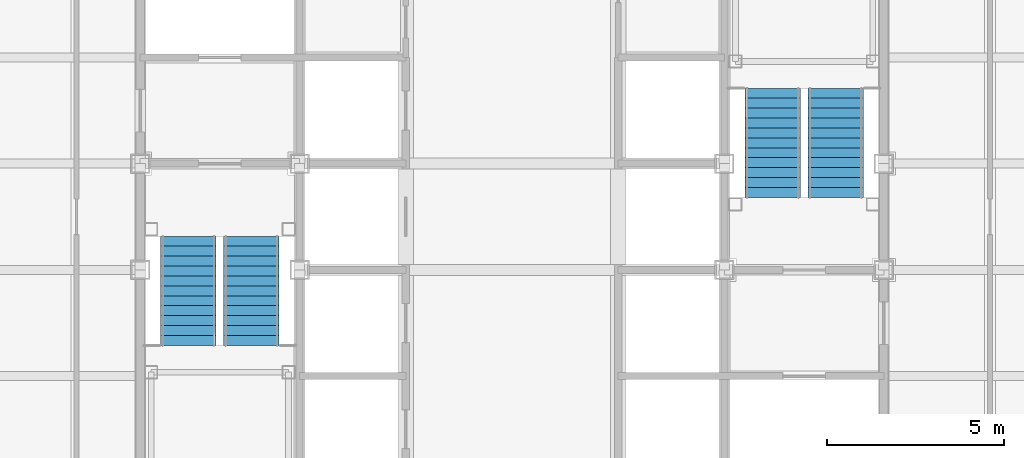
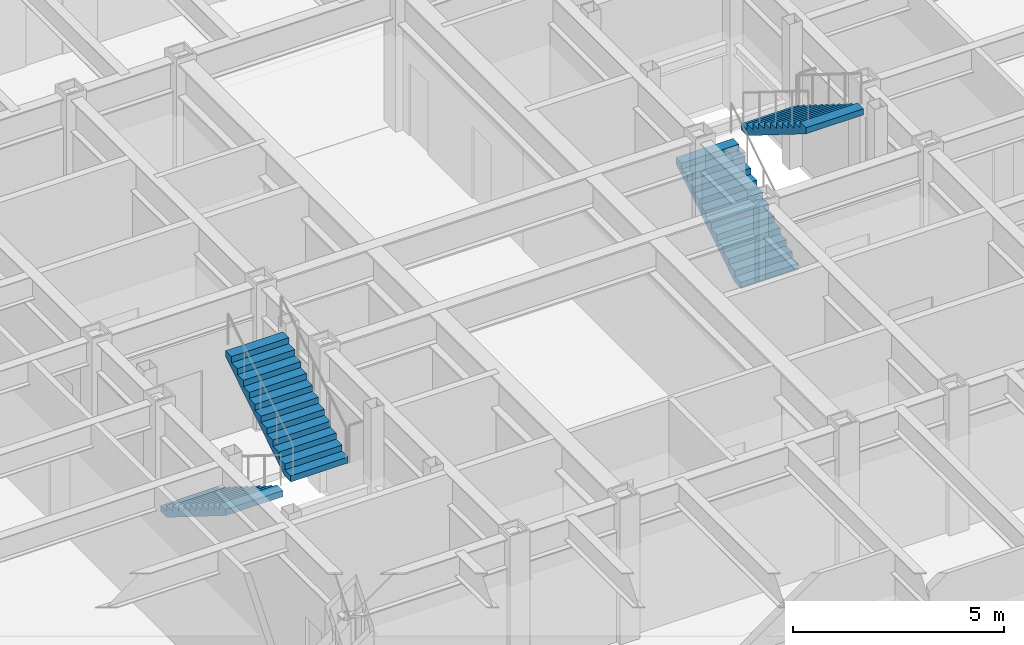
# One storey, part 14 of 16: 4 stair flights, 2 elements without a shape of their own.
"""IFC4 building model written with IfcOpenShell, lengths in metres."""

from ifc_helpers import new_model, si_unit, direction, frame, origin, place, context, subcontext, project, spatial, faceted_brep, material, type_object, element, aggregate, save


model = new_model("IFC4")

# Units and contexts
model_context = context("Model", 3, precision=1e-05, world=origin(), true_north=direction((0.0, 1.0)))
body_context = subcontext(model_context, "Body", "Model", "MODEL_VIEW")
ifc_project = project(units=[si_unit("LENGTHUNIT", "METRE"), si_unit("AREAUNIT", "SQUARE_METRE"), si_unit("VOLUMEUNIT", "CUBIC_METRE"), si_unit("PLANEANGLEUNIT", "RADIAN"), si_unit("MASSUNIT", "GRAM", prefix="KILO")], contexts=[model_context])

# Site, building, storey
site_placement = place(None, origin())
site = spatial("IfcSite", under=ifc_project, at=site_placement, CompositionType="ELEMENT")
building_placement = place(site_placement, origin())
building = spatial("IfcBuilding", under=site, at=building_placement, Name="Chuquiago Exchange Tower", CompositionType="ELEMENT")
storey_placement = place(building_placement, frame((0.0, 0.0, 218.10009765625)))
storey = spatial("IfcBuildingStorey", under=building, at=storey_placement, Name="L48", CompositionType="ELEMENT", Elevation=218.10009765625)

# Stair, stair flights
ifc_material_1 = material(Name="Concrete C30/37, precast", Category="concrete")
stair_type_1 = type_object("IfcStairType", Name="ST1 half-turn stair 4200", PredefinedType="HALF_TURN_STAIR", material=ifc_material_1)
stair_1_placement = place(storey_placement, origin())
stair_1 = element("IfcStair", 1, at=stair_1_placement, inside=storey, type_object=stair_type_1, Name="Stair ST1 L48", PredefinedType="HALF_TURN_STAIR")
ifc_material_2 = material(Name="Concrete C30/37, precast", Category="concrete")
stair_flight_type = type_object("IfcStairFlightType", Name="ST-F flight 1570 for 4200 storey", PredefinedType="STRAIGHT", material=ifc_material_2)
stair_flight_1_placement = place(storey_placement, frame((13.360107421875, 21.949951171875, 0.0), z_axis=(0.0, 0.0, 1.0), x_axis=(0.0, -1.0, 0.0)))
stair_flight_1 = element("IfcStairFlight", 2, at=stair_flight_1_placement, type_object=stair_flight_type, Name="ST1 flight 1", NumberOfRisers=12, NumberOfTreads=11, PredefinedType="STRAIGHT", RiserHeight=0.175, TreadLength=0.28, context=body_context, shape_type="Brep", body=[
    faceted_brep([(0.0, 0.78515625, 0.0), (0.0, 0.78515625, 0.175048828125), (0.280029296875, 0.78515625, 0.175048828125), (0.280029296875, 0.78515625, 0.35009765625), (0.56005859375, 0.78515625, 0.35009765625), (0.56005859375, 0.78515625, 0.52490234375), (0.840087890625, 0.78515625, 0.52490234375), (0.840087890625, 0.78515625, 0.699951171875), (1.1201171875, 0.78515625, 0.699951171875), (1.1201171875, 0.78515625, 0.875), (1.39990234375, 0.78515625, 0.875), (1.39990234375, 0.78515625, 1.050048828125), (1.679931640625, 0.78515625, 1.050048828125), (1.679931640625, 0.78515625, 1.22509765625), (1.9599609375, 0.78515625, 1.22509765625), (1.9599609375, 0.78515625, 1.39990234375), (2.239990234375, 0.78515625, 1.39990234375), (2.239990234375, 0.78515625, 1.574951171875), (2.52001953125, 0.78515625, 1.574951171875), (2.52001953125, 0.78515625, 1.75), (2.800048828125, 0.78515625, 1.75), (2.800048828125, 0.78515625, 1.925048828125), (3.080078125, 0.78515625, 1.925048828125), (3.080078125, 0.78515625, 1.748291015625), (0.28271484375, 0.78515625, 0.0), (0.28271484375, -0.78515625, 0.0), (3.080078125, -0.78515625, 1.748291015625), (3.080078125, -0.78515625, 1.925048828125), (2.800048828125, -0.78515625, 1.925048828125), (2.800048828125, -0.78515625, 1.75), (2.52001953125, -0.78515625, 1.75), (2.52001953125, -0.78515625, 1.574951171875), (2.239990234375, -0.78515625, 1.574951171875), (2.239990234375, -0.78515625, 1.39990234375), (1.9599609375, -0.78515625, 1.39990234375), (1.9599609375, -0.78515625, 1.22509765625), (1.679931640625, -0.78515625, 1.22509765625), (1.679931640625, -0.78515625, 1.050048828125), (1.39990234375, -0.78515625, 1.050048828125), (1.39990234375, -0.78515625, 0.875), (1.1201171875, -0.78515625, 0.875), (1.1201171875, -0.78515625, 0.699951171875), (0.840087890625, -0.78515625, 0.699951171875), (0.840087890625, -0.78515625, 0.52490234375), (0.56005859375, -0.78515625, 0.52490234375), (0.56005859375, -0.78515625, 0.35009765625), (0.280029296875, -0.78515625, 0.35009765625), (0.280029296875, -0.78515625, 0.175048828125), (0.0, -0.78515625, 0.175048828125), (0.0, -0.78515625, 0.0), (0.0, 0.392578125, 0.0), (0.0, 0.392578125, 0.175048828125), (0.0, 0.0, 0.0), (0.0, 0.0, 0.175048828125), (0.0, -0.392578125, 0.0), (0.0, -0.392578125, 0.175048828125), (0.280029296875, 0.392578125, 0.175048828125), (0.280029296875, 0.0, 0.175048828125), (0.280029296875, -0.392578125, 0.175048828125), (0.280029296875, 0.392578125, 0.35009765625), (0.280029296875, 0.0, 0.35009765625), (0.280029296875, -0.392578125, 0.35009765625), (0.56005859375, 0.392578125, 0.35009765625), (0.56005859375, 0.0, 0.35009765625), (0.56005859375, -0.392578125, 0.35009765625), (0.56005859375, 0.392578125, 0.52490234375), (0.56005859375, 0.0, 0.52490234375), (0.56005859375, -0.392578125, 0.52490234375), (0.840087890625, 0.392578125, 0.52490234375), (0.840087890625, 0.0, 0.52490234375), (0.840087890625, -0.392578125, 0.52490234375), (0.840087890625, 0.392578125, 0.699951171875), (0.840087890625, 0.0, 0.699951171875), (0.840087890625, -0.392578125, 0.699951171875), (1.1201171875, 0.392578125, 0.699951171875), (1.1201171875, 0.0, 0.699951171875), (1.1201171875, -0.392578125, 0.699951171875), (1.1201171875, 0.392578125, 0.875), (1.1201171875, 0.0, 0.875), (1.1201171875, -0.392578125, 0.875), (1.39990234375, 0.392578125, 0.875), (1.39990234375, 0.0, 0.875), (1.39990234375, -0.392578125, 0.875), (1.39990234375, 0.392578125, 1.050048828125), (1.39990234375, 0.0, 1.050048828125), (1.39990234375, -0.392578125, 1.050048828125), (1.679931640625, 0.392578125, 1.050048828125), (1.679931640625, 0.0, 1.050048828125), (1.679931640625, -0.392578125, 1.050048828125), (1.679931640625, 0.392578125, 1.22509765625), (1.679931640625, 0.0, 1.22509765625), (1.679931640625, -0.392578125, 1.22509765625), (1.9599609375, 0.392578125, 1.22509765625), (1.9599609375, 0.0, 1.22509765625), (1.9599609375, -0.392578125, 1.22509765625), (1.9599609375, 0.392578125, 1.39990234375), (1.9599609375, 0.0, 1.39990234375), (1.9599609375, -0.392578125, 1.39990234375), (2.239990234375, 0.392578125, 1.39990234375), (2.239990234375, 0.0, 1.39990234375), (2.239990234375, -0.392578125, 1.39990234375), (2.239990234375, 0.392578125, 1.574951171875), (2.239990234375, 0.0, 1.574951171875), (2.239990234375, -0.392578125, 1.574951171875), (2.52001953125, 0.392578125, 1.574951171875), (2.52001953125, 0.0, 1.574951171875), (2.52001953125, -0.392578125, 1.574951171875), (2.52001953125, 0.392578125, 1.75), (2.52001953125, 0.0, 1.75), (2.52001953125, -0.392578125, 1.75), (2.800048828125, 0.392578125, 1.75), (2.800048828125, 0.0, 1.75), (2.800048828125, -0.392578125, 1.75), (2.800048828125, 0.392578125, 1.925048828125), (2.800048828125, 0.0, 1.925048828125), (2.800048828125, -0.392578125, 1.925048828125), (3.080078125, 0.392578125, 1.925048828125), (3.080078125, 0.0, 1.925048828125), (3.080078125, -0.392578125, 1.925048828125), (3.080078125, 0.392578125, 1.748291015625), (3.080078125, 0.0, 1.748291015625), (3.080078125, -0.392578125, 1.748291015625), (0.28271484375, 0.392578125, 0.0), (0.28271484375, 0.0, 0.0), (0.28271484375, -0.392578125, 0.0)], [[[0, 1, 2, 3, 4, 5, 6, 7, 8, 9, 10, 11, 12, 13, 14, 15, 16, 17, 18, 19, 20, 21, 22, 23, 24]], [[25, 26, 27, 28, 29, 30, 31, 32, 33, 34, 35, 36, 37, 38, 39, 40, 41, 42, 43, 44, 45, 46, 47, 48, 49]], [[1, 0, 50, 51]], [[51, 50, 52, 53]], [[53, 52, 54, 55]], [[55, 54, 49, 48]], [[2, 1, 51, 56]], [[56, 51, 53, 57]], [[57, 53, 55, 58]], [[58, 55, 48, 47]], [[3, 2, 56, 59]], [[59, 56, 57, 60]], [[60, 57, 58, 61]], [[61, 58, 47, 46]], [[4, 3, 59, 62]], [[62, 59, 60, 63]], [[63, 60, 61, 64]], [[64, 61, 46, 45]], [[5, 4, 62, 65]], [[65, 62, 63, 66]], [[66, 63, 64, 67]], [[67, 64, 45, 44]], [[6, 5, 65, 68]], [[68, 65, 66, 69]], [[69, 66, 67, 70]], [[70, 67, 44, 43]], [[7, 6, 68, 71]], [[71, 68, 69, 72]], [[72, 69, 70, 73]], [[73, 70, 43, 42]], [[8, 7, 71, 74]], [[74, 71, 72, 75]], [[75, 72, 73, 76]], [[76, 73, 42, 41]], [[9, 8, 74, 77]], [[77, 74, 75, 78]], [[78, 75, 76, 79]], [[79, 76, 41, 40]], [[10, 9, 77, 80]], [[80, 77, 78, 81]], [[81, 78, 79, 82]], [[82, 79, 40, 39]], [[11, 10, 80, 83]], [[83, 80, 81, 84]], [[84, 81, 82, 85]], [[85, 82, 39, 38]], [[12, 11, 83, 86]], [[86, 83, 84, 87]], [[87, 84, 85, 88]], [[88, 85, 38, 37]], [[13, 12, 86, 89]], [[89, 86, 87, 90]], [[90, 87, 88, 91]], [[91, 88, 37, 36]], [[14, 13, 89, 92]], [[92, 89, 90, 93]], [[93, 90, 91, 94]], [[94, 91, 36, 35]], [[15, 14, 92, 95]], [[95, 92, 93, 96]], [[96, 93, 94, 97]], [[97, 94, 35, 34]], [[16, 15, 95, 98]], [[98, 95, 96, 99]], [[99, 96, 97, 100]], [[100, 97, 34, 33]], [[17, 16, 98, 101]], [[101, 98, 99, 102]], [[102, 99, 100, 103]], [[103, 100, 33, 32]], [[18, 17, 101, 104]], [[104, 101, 102, 105]], [[105, 102, 103, 106]], [[106, 103, 32, 31]], [[19, 18, 104, 107]], [[107, 104, 105, 108]], [[108, 105, 106, 109]], [[109, 106, 31, 30]], [[20, 19, 107, 110]], [[110, 107, 108, 111]], [[111, 108, 109, 112]], [[112, 109, 30, 29]], [[21, 20, 110, 113]], [[113, 110, 111, 114]], [[114, 111, 112, 115]], [[115, 112, 29, 28]], [[22, 21, 113, 116]], [[116, 113, 114, 117]], [[117, 114, 115, 118]], [[118, 115, 28, 27]], [[23, 22, 116, 119]], [[119, 116, 117, 120]], [[120, 117, 118, 121]], [[121, 118, 27, 26]], [[24, 23, 119, 122]], [[122, 119, 120, 123]], [[123, 120, 121, 124]], [[124, 121, 26, 25]], [[0, 24, 122, 50]], [[50, 122, 123, 52]], [[52, 123, 124, 54]], [[54, 124, 25, 49]]]),
])
stair_flight_2_placement = place(storey_placement, frame((15.139892578125, 18.8701171875, 2.099853515625), z_axis=(0.0, 0.0, 1.0), x_axis=(0.0, 1.0, 0.0)))
stair_flight_2 = element("IfcStairFlight", 3, at=stair_flight_2_placement, type_object=stair_flight_type, Name="ST1 flight 2", NumberOfRisers=12, NumberOfTreads=11, PredefinedType="STRAIGHT", RiserHeight=0.175, TreadLength=0.28, context=body_context, shape_type="Brep", body=[
    faceted_brep([(0.0, 0.78515625, 0.0), (0.0, 0.78515625, 0.175048828125), (0.280029296875, 0.78515625, 0.175048828125), (0.280029296875, 0.78515625, 0.35009765625), (0.56005859375, 0.78515625, 0.35009765625), (0.56005859375, 0.78515625, 0.52490234375), (0.840087890625, 0.78515625, 0.52490234375), (0.840087890625, 0.78515625, 0.699951171875), (1.1201171875, 0.78515625, 0.699951171875), (1.1201171875, 0.78515625, 0.875), (1.39990234375, 0.78515625, 0.875), (1.39990234375, 0.78515625, 1.050048828125), (1.679931640625, 0.78515625, 1.050048828125), (1.679931640625, 0.78515625, 1.22509765625), (1.9599609375, 0.78515625, 1.22509765625), (1.9599609375, 0.78515625, 1.39990234375), (2.239990234375, 0.78515625, 1.39990234375), (2.239990234375, 0.78515625, 1.574951171875), (2.52001953125, 0.78515625, 1.574951171875), (2.52001953125, 0.78515625, 1.75), (2.800048828125, 0.78515625, 1.75), (2.800048828125, 0.78515625, 1.925048828125), (3.080078125, 0.78515625, 1.925048828125), (3.080078125, 0.78515625, 1.748291015625), (0.28271484375, 0.78515625, 0.0), (0.28271484375, -0.78515625, 0.0), (3.080078125, -0.78515625, 1.748291015625), (3.080078125, -0.78515625, 1.925048828125), (2.800048828125, -0.78515625, 1.925048828125), (2.800048828125, -0.78515625, 1.75), (2.52001953125, -0.78515625, 1.75), (2.52001953125, -0.78515625, 1.574951171875), (2.239990234375, -0.78515625, 1.574951171875), (2.239990234375, -0.78515625, 1.39990234375), (1.9599609375, -0.78515625, 1.39990234375), (1.9599609375, -0.78515625, 1.22509765625), (1.679931640625, -0.78515625, 1.22509765625), (1.679931640625, -0.78515625, 1.050048828125), (1.39990234375, -0.78515625, 1.050048828125), (1.39990234375, -0.78515625, 0.875), (1.1201171875, -0.78515625, 0.875), (1.1201171875, -0.78515625, 0.699951171875), (0.840087890625, -0.78515625, 0.699951171875), (0.840087890625, -0.78515625, 0.52490234375), (0.56005859375, -0.78515625, 0.52490234375), (0.56005859375, -0.78515625, 0.35009765625), (0.280029296875, -0.78515625, 0.35009765625), (0.280029296875, -0.78515625, 0.175048828125), (0.0, -0.78515625, 0.175048828125), (0.0, -0.78515625, 0.0), (0.0, 0.392578125, 0.0), (0.0, 0.392578125, 0.175048828125), (0.0, 0.0, 0.0), (0.0, 0.0, 0.175048828125), (0.0, -0.392578125, 0.0), (0.0, -0.392578125, 0.175048828125), (0.280029296875, 0.392578125, 0.175048828125), (0.280029296875, 0.0, 0.175048828125), (0.280029296875, -0.392578125, 0.175048828125), (0.280029296875, 0.392578125, 0.35009765625), (0.280029296875, 0.0, 0.35009765625), (0.280029296875, -0.392578125, 0.35009765625), (0.56005859375, 0.392578125, 0.35009765625), (0.56005859375, 0.0, 0.35009765625), (0.56005859375, -0.392578125, 0.35009765625), (0.56005859375, 0.392578125, 0.52490234375), (0.56005859375, 0.0, 0.52490234375), (0.56005859375, -0.392578125, 0.52490234375), (0.840087890625, 0.392578125, 0.52490234375), (0.840087890625, 0.0, 0.52490234375), (0.840087890625, -0.392578125, 0.52490234375), (0.840087890625, 0.392578125, 0.699951171875), (0.840087890625, 0.0, 0.699951171875), (0.840087890625, -0.392578125, 0.699951171875), (1.1201171875, 0.392578125, 0.699951171875), (1.1201171875, 0.0, 0.699951171875), (1.1201171875, -0.392578125, 0.699951171875), (1.1201171875, 0.392578125, 0.875), (1.1201171875, 0.0, 0.875), (1.1201171875, -0.392578125, 0.875), (1.39990234375, 0.392578125, 0.875), (1.39990234375, 0.0, 0.875), (1.39990234375, -0.392578125, 0.875), (1.39990234375, 0.392578125, 1.050048828125), (1.39990234375, 0.0, 1.050048828125), (1.39990234375, -0.392578125, 1.050048828125), (1.679931640625, 0.392578125, 1.050048828125), (1.679931640625, 0.0, 1.050048828125), (1.679931640625, -0.392578125, 1.050048828125), (1.679931640625, 0.392578125, 1.22509765625), (1.679931640625, 0.0, 1.22509765625), (1.679931640625, -0.392578125, 1.22509765625), (1.9599609375, 0.392578125, 1.22509765625), (1.9599609375, 0.0, 1.22509765625), (1.9599609375, -0.392578125, 1.22509765625), (1.9599609375, 0.392578125, 1.39990234375), (1.9599609375, 0.0, 1.39990234375), (1.9599609375, -0.392578125, 1.39990234375), (2.239990234375, 0.392578125, 1.39990234375), (2.239990234375, 0.0, 1.39990234375), (2.239990234375, -0.392578125, 1.39990234375), (2.239990234375, 0.392578125, 1.574951171875), (2.239990234375, 0.0, 1.574951171875), (2.239990234375, -0.392578125, 1.574951171875), (2.52001953125, 0.392578125, 1.574951171875), (2.52001953125, 0.0, 1.574951171875), (2.52001953125, -0.392578125, 1.574951171875), (2.52001953125, 0.392578125, 1.75), (2.52001953125, 0.0, 1.75), (2.52001953125, -0.392578125, 1.75), (2.800048828125, 0.392578125, 1.75), (2.800048828125, 0.0, 1.75), (2.800048828125, -0.392578125, 1.75), (2.800048828125, 0.392578125, 1.925048828125), (2.800048828125, 0.0, 1.925048828125), (2.800048828125, -0.392578125, 1.925048828125), (3.080078125, 0.392578125, 1.925048828125), (3.080078125, 0.0, 1.925048828125), (3.080078125, -0.392578125, 1.925048828125), (3.080078125, 0.392578125, 1.748291015625), (3.080078125, 0.0, 1.748291015625), (3.080078125, -0.392578125, 1.748291015625), (0.28271484375, 0.392578125, 0.0), (0.28271484375, 0.0, 0.0), (0.28271484375, -0.392578125, 0.0)], [[[0, 1, 2, 3, 4, 5, 6, 7, 8, 9, 10, 11, 12, 13, 14, 15, 16, 17, 18, 19, 20, 21, 22, 23, 24]], [[25, 26, 27, 28, 29, 30, 31, 32, 33, 34, 35, 36, 37, 38, 39, 40, 41, 42, 43, 44, 45, 46, 47, 48, 49]], [[1, 0, 50, 51]], [[51, 50, 52, 53]], [[53, 52, 54, 55]], [[55, 54, 49, 48]], [[2, 1, 51, 56]], [[56, 51, 53, 57]], [[57, 53, 55, 58]], [[58, 55, 48, 47]], [[3, 2, 56, 59]], [[59, 56, 57, 60]], [[60, 57, 58, 61]], [[61, 58, 47, 46]], [[4, 3, 59, 62]], [[62, 59, 60, 63]], [[63, 60, 61, 64]], [[64, 61, 46, 45]], [[5, 4, 62, 65]], [[65, 62, 63, 66]], [[66, 63, 64, 67]], [[67, 64, 45, 44]], [[6, 5, 65, 68]], [[68, 65, 66, 69]], [[69, 66, 67, 70]], [[70, 67, 44, 43]], [[7, 6, 68, 71]], [[71, 68, 69, 72]], [[72, 69, 70, 73]], [[73, 70, 43, 42]], [[8, 7, 71, 74]], [[74, 71, 72, 75]], [[75, 72, 73, 76]], [[76, 73, 42, 41]], [[9, 8, 74, 77]], [[77, 74, 75, 78]], [[78, 75, 76, 79]], [[79, 76, 41, 40]], [[10, 9, 77, 80]], [[80, 77, 78, 81]], [[81, 78, 79, 82]], [[82, 79, 40, 39]], [[11, 10, 80, 83]], [[83, 80, 81, 84]], [[84, 81, 82, 85]], [[85, 82, 39, 38]], [[12, 11, 83, 86]], [[86, 83, 84, 87]], [[87, 84, 85, 88]], [[88, 85, 38, 37]], [[13, 12, 86, 89]], [[89, 86, 87, 90]], [[90, 87, 88, 91]], [[91, 88, 37, 36]], [[14, 13, 89, 92]], [[92, 89, 90, 93]], [[93, 90, 91, 94]], [[94, 91, 36, 35]], [[15, 14, 92, 95]], [[95, 92, 93, 96]], [[96, 93, 94, 97]], [[97, 94, 35, 34]], [[16, 15, 95, 98]], [[98, 95, 96, 99]], [[99, 96, 97, 100]], [[100, 97, 34, 33]], [[17, 16, 98, 101]], [[101, 98, 99, 102]], [[102, 99, 100, 103]], [[103, 100, 33, 32]], [[18, 17, 101, 104]], [[104, 101, 102, 105]], [[105, 102, 103, 106]], [[106, 103, 32, 31]], [[19, 18, 104, 107]], [[107, 104, 105, 108]], [[108, 105, 106, 109]], [[109, 106, 31, 30]], [[20, 19, 107, 110]], [[110, 107, 108, 111]], [[111, 108, 109, 112]], [[112, 109, 30, 29]], [[21, 20, 110, 113]], [[113, 110, 111, 114]], [[114, 111, 112, 115]], [[115, 112, 29, 28]], [[22, 21, 113, 116]], [[116, 113, 114, 117]], [[117, 114, 115, 118]], [[118, 115, 28, 27]], [[23, 22, 116, 119]], [[119, 116, 117, 120]], [[120, 117, 118, 121]], [[121, 118, 27, 26]], [[24, 23, 119, 122]], [[122, 119, 120, 123]], [[123, 120, 121, 124]], [[124, 121, 26, 25]], [[0, 24, 122, 50]], [[50, 122, 123, 52]], [[52, 123, 124, 54]], [[54, 124, 25, 49]]]),
])
aggregate(stair_1, [stair_flight_1, stair_flight_2])

ifc_material_3 = material(Name="Concrete C30/37, precast", Category="concrete")
stair_type_2 = type_object("IfcStairType", Name="ST2 half-turn stair 4200", PredefinedType="HALF_TURN_STAIR", material=ifc_material_3)
stair_2_placement = place(storey_placement, origin())
stair_2 = element("IfcStair", 4, at=stair_2_placement, inside=storey, type_object=stair_type_2, Name="Stair ST2 L48", PredefinedType="HALF_TURN_STAIR")
stair_flight_3_placement = place(storey_placement, frame((29.860107421875, 23.050048828125, 0.0), z_axis=(0.0, 0.0, 1.0), x_axis=(0.0, 1.0, 0.0)))
stair_flight_3 = element("IfcStairFlight", 5, at=stair_flight_3_placement, type_object=stair_flight_type, Name="ST2 flight 1", NumberOfRisers=12, NumberOfTreads=11, PredefinedType="STRAIGHT", RiserHeight=0.175, TreadLength=0.28, context=body_context, shape_type="Brep", body=[
    faceted_brep([(0.0, 0.78515625, 0.0), (0.0, 0.78515625, 0.175048828125), (0.280029296875, 0.78515625, 0.175048828125), (0.280029296875, 0.78515625, 0.35009765625), (0.56005859375, 0.78515625, 0.35009765625), (0.56005859375, 0.78515625, 0.52490234375), (0.840087890625, 0.78515625, 0.52490234375), (0.840087890625, 0.78515625, 0.699951171875), (1.1201171875, 0.78515625, 0.699951171875), (1.1201171875, 0.78515625, 0.875), (1.39990234375, 0.78515625, 0.875), (1.39990234375, 0.78515625, 1.050048828125), (1.679931640625, 0.78515625, 1.050048828125), (1.679931640625, 0.78515625, 1.22509765625), (1.9599609375, 0.78515625, 1.22509765625), (1.9599609375, 0.78515625, 1.39990234375), (2.239990234375, 0.78515625, 1.39990234375), (2.239990234375, 0.78515625, 1.574951171875), (2.52001953125, 0.78515625, 1.574951171875), (2.52001953125, 0.78515625, 1.75), (2.800048828125, 0.78515625, 1.75), (2.800048828125, 0.78515625, 1.925048828125), (3.080078125, 0.78515625, 1.925048828125), (3.080078125, 0.78515625, 1.748291015625), (0.28271484375, 0.78515625, 0.0), (0.28271484375, -0.78515625, 0.0), (3.080078125, -0.78515625, 1.748291015625), (3.080078125, -0.78515625, 1.925048828125), (2.800048828125, -0.78515625, 1.925048828125), (2.800048828125, -0.78515625, 1.75), (2.52001953125, -0.78515625, 1.75), (2.52001953125, -0.78515625, 1.574951171875), (2.239990234375, -0.78515625, 1.574951171875), (2.239990234375, -0.78515625, 1.39990234375), (1.9599609375, -0.78515625, 1.39990234375), (1.9599609375, -0.78515625, 1.22509765625), (1.679931640625, -0.78515625, 1.22509765625), (1.679931640625, -0.78515625, 1.050048828125), (1.39990234375, -0.78515625, 1.050048828125), (1.39990234375, -0.78515625, 0.875), (1.1201171875, -0.78515625, 0.875), (1.1201171875, -0.78515625, 0.699951171875), (0.840087890625, -0.78515625, 0.699951171875), (0.840087890625, -0.78515625, 0.52490234375), (0.56005859375, -0.78515625, 0.52490234375), (0.56005859375, -0.78515625, 0.35009765625), (0.280029296875, -0.78515625, 0.35009765625), (0.280029296875, -0.78515625, 0.175048828125), (0.0, -0.78515625, 0.175048828125), (0.0, -0.78515625, 0.0), (0.0, 0.392578125, 0.0), (0.0, 0.392578125, 0.175048828125), (0.0, 0.0, 0.0), (0.0, 0.0, 0.175048828125), (0.0, -0.392578125, 0.0), (0.0, -0.392578125, 0.175048828125), (0.280029296875, 0.392578125, 0.175048828125), (0.280029296875, 0.0, 0.175048828125), (0.280029296875, -0.392578125, 0.175048828125), (0.280029296875, 0.392578125, 0.35009765625), (0.280029296875, 0.0, 0.35009765625), (0.280029296875, -0.392578125, 0.35009765625), (0.56005859375, 0.392578125, 0.35009765625), (0.56005859375, 0.0, 0.35009765625), (0.56005859375, -0.392578125, 0.35009765625), (0.56005859375, 0.392578125, 0.52490234375), (0.56005859375, 0.0, 0.52490234375), (0.56005859375, -0.392578125, 0.52490234375), (0.840087890625, 0.392578125, 0.52490234375), (0.840087890625, 0.0, 0.52490234375), (0.840087890625, -0.392578125, 0.52490234375), (0.840087890625, 0.392578125, 0.699951171875), (0.840087890625, 0.0, 0.699951171875), (0.840087890625, -0.392578125, 0.699951171875), (1.1201171875, 0.392578125, 0.699951171875), (1.1201171875, 0.0, 0.699951171875), (1.1201171875, -0.392578125, 0.699951171875), (1.1201171875, 0.392578125, 0.875), (1.1201171875, 0.0, 0.875), (1.1201171875, -0.392578125, 0.875), (1.39990234375, 0.392578125, 0.875), (1.39990234375, 0.0, 0.875), (1.39990234375, -0.392578125, 0.875), (1.39990234375, 0.392578125, 1.050048828125), (1.39990234375, 0.0, 1.050048828125), (1.39990234375, -0.392578125, 1.050048828125), (1.679931640625, 0.392578125, 1.050048828125), (1.679931640625, 0.0, 1.050048828125), (1.679931640625, -0.392578125, 1.050048828125), (1.679931640625, 0.392578125, 1.22509765625), (1.679931640625, 0.0, 1.22509765625), (1.679931640625, -0.392578125, 1.22509765625), (1.9599609375, 0.392578125, 1.22509765625), (1.9599609375, 0.0, 1.22509765625), (1.9599609375, -0.392578125, 1.22509765625), (1.9599609375, 0.392578125, 1.39990234375), (1.9599609375, 0.0, 1.39990234375), (1.9599609375, -0.392578125, 1.39990234375), (2.239990234375, 0.392578125, 1.39990234375), (2.239990234375, 0.0, 1.39990234375), (2.239990234375, -0.392578125, 1.39990234375), (2.239990234375, 0.392578125, 1.574951171875), (2.239990234375, 0.0, 1.574951171875), (2.239990234375, -0.392578125, 1.574951171875), (2.52001953125, 0.392578125, 1.574951171875), (2.52001953125, 0.0, 1.574951171875), (2.52001953125, -0.392578125, 1.574951171875), (2.52001953125, 0.392578125, 1.75), (2.52001953125, 0.0, 1.75), (2.52001953125, -0.392578125, 1.75), (2.800048828125, 0.392578125, 1.75), (2.800048828125, 0.0, 1.75), (2.800048828125, -0.392578125, 1.75), (2.800048828125, 0.392578125, 1.925048828125), (2.800048828125, 0.0, 1.925048828125), (2.800048828125, -0.392578125, 1.925048828125), (3.080078125, 0.392578125, 1.925048828125), (3.080078125, 0.0, 1.925048828125), (3.080078125, -0.392578125, 1.925048828125), (3.080078125, 0.392578125, 1.748291015625), (3.080078125, 0.0, 1.748291015625), (3.080078125, -0.392578125, 1.748291015625), (0.28271484375, 0.392578125, 0.0), (0.28271484375, 0.0, 0.0), (0.28271484375, -0.392578125, 0.0)], [[[0, 1, 2, 3, 4, 5, 6, 7, 8, 9, 10, 11, 12, 13, 14, 15, 16, 17, 18, 19, 20, 21, 22, 23, 24]], [[25, 26, 27, 28, 29, 30, 31, 32, 33, 34, 35, 36, 37, 38, 39, 40, 41, 42, 43, 44, 45, 46, 47, 48, 49]], [[1, 0, 50, 51]], [[51, 50, 52, 53]], [[53, 52, 54, 55]], [[55, 54, 49, 48]], [[2, 1, 51, 56]], [[56, 51, 53, 57]], [[57, 53, 55, 58]], [[58, 55, 48, 47]], [[3, 2, 56, 59]], [[59, 56, 57, 60]], [[60, 57, 58, 61]], [[61, 58, 47, 46]], [[4, 3, 59, 62]], [[62, 59, 60, 63]], [[63, 60, 61, 64]], [[64, 61, 46, 45]], [[5, 4, 62, 65]], [[65, 62, 63, 66]], [[66, 63, 64, 67]], [[67, 64, 45, 44]], [[6, 5, 65, 68]], [[68, 65, 66, 69]], [[69, 66, 67, 70]], [[70, 67, 44, 43]], [[7, 6, 68, 71]], [[71, 68, 69, 72]], [[72, 69, 70, 73]], [[73, 70, 43, 42]], [[8, 7, 71, 74]], [[74, 71, 72, 75]], [[75, 72, 73, 76]], [[76, 73, 42, 41]], [[9, 8, 74, 77]], [[77, 74, 75, 78]], [[78, 75, 76, 79]], [[79, 76, 41, 40]], [[10, 9, 77, 80]], [[80, 77, 78, 81]], [[81, 78, 79, 82]], [[82, 79, 40, 39]], [[11, 10, 80, 83]], [[83, 80, 81, 84]], [[84, 81, 82, 85]], [[85, 82, 39, 38]], [[12, 11, 83, 86]], [[86, 83, 84, 87]], [[87, 84, 85, 88]], [[88, 85, 38, 37]], [[13, 12, 86, 89]], [[89, 86, 87, 90]], [[90, 87, 88, 91]], [[91, 88, 37, 36]], [[14, 13, 89, 92]], [[92, 89, 90, 93]], [[93, 90, 91, 94]], [[94, 91, 36, 35]], [[15, 14, 92, 95]], [[95, 92, 93, 96]], [[96, 93, 94, 97]], [[97, 94, 35, 34]], [[16, 15, 95, 98]], [[98, 95, 96, 99]], [[99, 96, 97, 100]], [[100, 97, 34, 33]], [[17, 16, 98, 101]], [[101, 98, 99, 102]], [[102, 99, 100, 103]], [[103, 100, 33, 32]], [[18, 17, 101, 104]], [[104, 101, 102, 105]], [[105, 102, 103, 106]], [[106, 103, 32, 31]], [[19, 18, 104, 107]], [[107, 104, 105, 108]], [[108, 105, 106, 109]], [[109, 106, 31, 30]], [[20, 19, 107, 110]], [[110, 107, 108, 111]], [[111, 108, 109, 112]], [[112, 109, 30, 29]], [[21, 20, 110, 113]], [[113, 110, 111, 114]], [[114, 111, 112, 115]], [[115, 112, 29, 28]], [[22, 21, 113, 116]], [[116, 113, 114, 117]], [[117, 114, 115, 118]], [[118, 115, 28, 27]], [[23, 22, 116, 119]], [[119, 116, 117, 120]], [[120, 117, 118, 121]], [[121, 118, 27, 26]], [[24, 23, 119, 122]], [[122, 119, 120, 123]], [[123, 120, 121, 124]], [[124, 121, 26, 25]], [[0, 24, 122, 50]], [[50, 122, 123, 52]], [[52, 123, 124, 54]], [[54, 124, 25, 49]]]),
])
stair_flight_4_placement = place(storey_placement, frame((31.639892578125, 26.1298828125, 2.099853515625), z_axis=(0.0, 0.0, 1.0), x_axis=(0.0, -1.0, 0.0)))
stair_flight_4 = element("IfcStairFlight", 6, at=stair_flight_4_placement, type_object=stair_flight_type, Name="ST2 flight 2", NumberOfRisers=12, NumberOfTreads=11, PredefinedType="STRAIGHT", RiserHeight=0.175, TreadLength=0.28, context=body_context, shape_type="Brep", body=[
    faceted_brep([(0.0, 0.78515625, 0.0), (0.0, 0.78515625, 0.175048828125), (0.280029296875, 0.78515625, 0.175048828125), (0.280029296875, 0.78515625, 0.35009765625), (0.56005859375, 0.78515625, 0.35009765625), (0.56005859375, 0.78515625, 0.52490234375), (0.840087890625, 0.78515625, 0.52490234375), (0.840087890625, 0.78515625, 0.699951171875), (1.1201171875, 0.78515625, 0.699951171875), (1.1201171875, 0.78515625, 0.875), (1.39990234375, 0.78515625, 0.875), (1.39990234375, 0.78515625, 1.050048828125), (1.679931640625, 0.78515625, 1.050048828125), (1.679931640625, 0.78515625, 1.22509765625), (1.9599609375, 0.78515625, 1.22509765625), (1.9599609375, 0.78515625, 1.39990234375), (2.239990234375, 0.78515625, 1.39990234375), (2.239990234375, 0.78515625, 1.574951171875), (2.52001953125, 0.78515625, 1.574951171875), (2.52001953125, 0.78515625, 1.75), (2.800048828125, 0.78515625, 1.75), (2.800048828125, 0.78515625, 1.925048828125), (3.080078125, 0.78515625, 1.925048828125), (3.080078125, 0.78515625, 1.748291015625), (0.28271484375, 0.78515625, 0.0), (0.28271484375, -0.78515625, 0.0), (3.080078125, -0.78515625, 1.748291015625), (3.080078125, -0.78515625, 1.925048828125), (2.800048828125, -0.78515625, 1.925048828125), (2.800048828125, -0.78515625, 1.75), (2.52001953125, -0.78515625, 1.75), (2.52001953125, -0.78515625, 1.574951171875), (2.239990234375, -0.78515625, 1.574951171875), (2.239990234375, -0.78515625, 1.39990234375), (1.9599609375, -0.78515625, 1.39990234375), (1.9599609375, -0.78515625, 1.22509765625), (1.679931640625, -0.78515625, 1.22509765625), (1.679931640625, -0.78515625, 1.050048828125), (1.39990234375, -0.78515625, 1.050048828125), (1.39990234375, -0.78515625, 0.875), (1.1201171875, -0.78515625, 0.875), (1.1201171875, -0.78515625, 0.699951171875), (0.840087890625, -0.78515625, 0.699951171875), (0.840087890625, -0.78515625, 0.52490234375), (0.56005859375, -0.78515625, 0.52490234375), (0.56005859375, -0.78515625, 0.35009765625), (0.280029296875, -0.78515625, 0.35009765625), (0.280029296875, -0.78515625, 0.175048828125), (0.0, -0.78515625, 0.175048828125), (0.0, -0.78515625, 0.0), (0.0, 0.392578125, 0.0), (0.0, 0.392578125, 0.175048828125), (0.0, 0.0, 0.0), (0.0, 0.0, 0.175048828125), (0.0, -0.392578125, 0.0), (0.0, -0.392578125, 0.175048828125), (0.280029296875, 0.392578125, 0.175048828125), (0.280029296875, 0.0, 0.175048828125), (0.280029296875, -0.392578125, 0.175048828125), (0.280029296875, 0.392578125, 0.35009765625), (0.280029296875, 0.0, 0.35009765625), (0.280029296875, -0.392578125, 0.35009765625), (0.56005859375, 0.392578125, 0.35009765625), (0.56005859375, 0.0, 0.35009765625), (0.56005859375, -0.392578125, 0.35009765625), (0.56005859375, 0.392578125, 0.52490234375), (0.56005859375, 0.0, 0.52490234375), (0.56005859375, -0.392578125, 0.52490234375), (0.840087890625, 0.392578125, 0.52490234375), (0.840087890625, 0.0, 0.52490234375), (0.840087890625, -0.392578125, 0.52490234375), (0.840087890625, 0.392578125, 0.699951171875), (0.840087890625, 0.0, 0.699951171875), (0.840087890625, -0.392578125, 0.699951171875), (1.1201171875, 0.392578125, 0.699951171875), (1.1201171875, 0.0, 0.699951171875), (1.1201171875, -0.392578125, 0.699951171875), (1.1201171875, 0.392578125, 0.875), (1.1201171875, 0.0, 0.875), (1.1201171875, -0.392578125, 0.875), (1.39990234375, 0.392578125, 0.875), (1.39990234375, 0.0, 0.875), (1.39990234375, -0.392578125, 0.875), (1.39990234375, 0.392578125, 1.050048828125), (1.39990234375, 0.0, 1.050048828125), (1.39990234375, -0.392578125, 1.050048828125), (1.679931640625, 0.392578125, 1.050048828125), (1.679931640625, 0.0, 1.050048828125), (1.679931640625, -0.392578125, 1.050048828125), (1.679931640625, 0.392578125, 1.22509765625), (1.679931640625, 0.0, 1.22509765625), (1.679931640625, -0.392578125, 1.22509765625), (1.9599609375, 0.392578125, 1.22509765625), (1.9599609375, 0.0, 1.22509765625), (1.9599609375, -0.392578125, 1.22509765625), (1.9599609375, 0.392578125, 1.39990234375), (1.9599609375, 0.0, 1.39990234375), (1.9599609375, -0.392578125, 1.39990234375), (2.239990234375, 0.392578125, 1.39990234375), (2.239990234375, 0.0, 1.39990234375), (2.239990234375, -0.392578125, 1.39990234375), (2.239990234375, 0.392578125, 1.574951171875), (2.239990234375, 0.0, 1.574951171875), (2.239990234375, -0.392578125, 1.574951171875), (2.52001953125, 0.392578125, 1.574951171875), (2.52001953125, 0.0, 1.574951171875), (2.52001953125, -0.392578125, 1.574951171875), (2.52001953125, 0.392578125, 1.75), (2.52001953125, 0.0, 1.75), (2.52001953125, -0.392578125, 1.75), (2.800048828125, 0.392578125, 1.75), (2.800048828125, 0.0, 1.75), (2.800048828125, -0.392578125, 1.75), (2.800048828125, 0.392578125, 1.925048828125), (2.800048828125, 0.0, 1.925048828125), (2.800048828125, -0.392578125, 1.925048828125), (3.080078125, 0.392578125, 1.925048828125), (3.080078125, 0.0, 1.925048828125), (3.080078125, -0.392578125, 1.925048828125), (3.080078125, 0.392578125, 1.748291015625), (3.080078125, 0.0, 1.748291015625), (3.080078125, -0.392578125, 1.748291015625), (0.28271484375, 0.392578125, 0.0), (0.28271484375, 0.0, 0.0), (0.28271484375, -0.392578125, 0.0)], [[[0, 1, 2, 3, 4, 5, 6, 7, 8, 9, 10, 11, 12, 13, 14, 15, 16, 17, 18, 19, 20, 21, 22, 23, 24]], [[25, 26, 27, 28, 29, 30, 31, 32, 33, 34, 35, 36, 37, 38, 39, 40, 41, 42, 43, 44, 45, 46, 47, 48, 49]], [[1, 0, 50, 51]], [[51, 50, 52, 53]], [[53, 52, 54, 55]], [[55, 54, 49, 48]], [[2, 1, 51, 56]], [[56, 51, 53, 57]], [[57, 53, 55, 58]], [[58, 55, 48, 47]], [[3, 2, 56, 59]], [[59, 56, 57, 60]], [[60, 57, 58, 61]], [[61, 58, 47, 46]], [[4, 3, 59, 62]], [[62, 59, 60, 63]], [[63, 60, 61, 64]], [[64, 61, 46, 45]], [[5, 4, 62, 65]], [[65, 62, 63, 66]], [[66, 63, 64, 67]], [[67, 64, 45, 44]], [[6, 5, 65, 68]], [[68, 65, 66, 69]], [[69, 66, 67, 70]], [[70, 67, 44, 43]], [[7, 6, 68, 71]], [[71, 68, 69, 72]], [[72, 69, 70, 73]], [[73, 70, 43, 42]], [[8, 7, 71, 74]], [[74, 71, 72, 75]], [[75, 72, 73, 76]], [[76, 73, 42, 41]], [[9, 8, 74, 77]], [[77, 74, 75, 78]], [[78, 75, 76, 79]], [[79, 76, 41, 40]], [[10, 9, 77, 80]], [[80, 77, 78, 81]], [[81, 78, 79, 82]], [[82, 79, 40, 39]], [[11, 10, 80, 83]], [[83, 80, 81, 84]], [[84, 81, 82, 85]], [[85, 82, 39, 38]], [[12, 11, 83, 86]], [[86, 83, 84, 87]], [[87, 84, 85, 88]], [[88, 85, 38, 37]], [[13, 12, 86, 89]], [[89, 86, 87, 90]], [[90, 87, 88, 91]], [[91, 88, 37, 36]], [[14, 13, 89, 92]], [[92, 89, 90, 93]], [[93, 90, 91, 94]], [[94, 91, 36, 35]], [[15, 14, 92, 95]], [[95, 92, 93, 96]], [[96, 93, 94, 97]], [[97, 94, 35, 34]], [[16, 15, 95, 98]], [[98, 95, 96, 99]], [[99, 96, 97, 100]], [[100, 97, 34, 33]], [[17, 16, 98, 101]], [[101, 98, 99, 102]], [[102, 99, 100, 103]], [[103, 100, 33, 32]], [[18, 17, 101, 104]], [[104, 101, 102, 105]], [[105, 102, 103, 106]], [[106, 103, 32, 31]], [[19, 18, 104, 107]], [[107, 104, 105, 108]], [[108, 105, 106, 109]], [[109, 106, 31, 30]], [[20, 19, 107, 110]], [[110, 107, 108, 111]], [[111, 108, 109, 112]], [[112, 109, 30, 29]], [[21, 20, 110, 113]], [[113, 110, 111, 114]], [[114, 111, 112, 115]], [[115, 112, 29, 28]], [[22, 21, 113, 116]], [[116, 113, 114, 117]], [[117, 114, 115, 118]], [[118, 115, 28, 27]], [[23, 22, 116, 119]], [[119, 116, 117, 120]], [[120, 117, 118, 121]], [[121, 118, 27, 26]], [[24, 23, 119, 122]], [[122, 119, 120, 123]], [[123, 120, 121, 124]], [[124, 121, 26, 25]], [[0, 24, 122, 50]], [[50, 122, 123, 52]], [[52, 123, 124, 54]], [[54, 124, 25, 49]]]),
])
aggregate(stair_2, [stair_flight_3, stair_flight_4])

save(model, "model.ifc")
